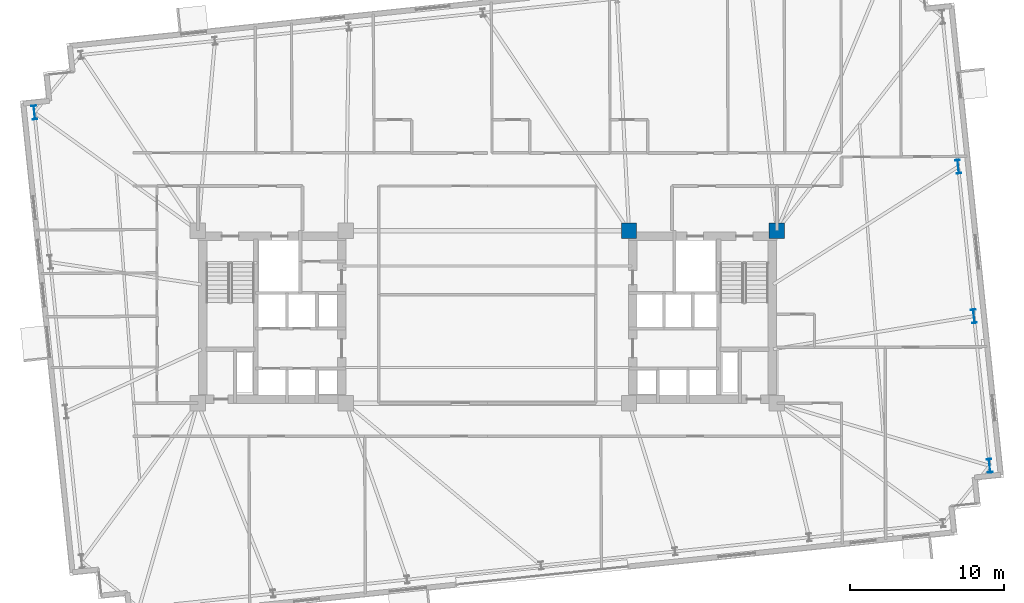
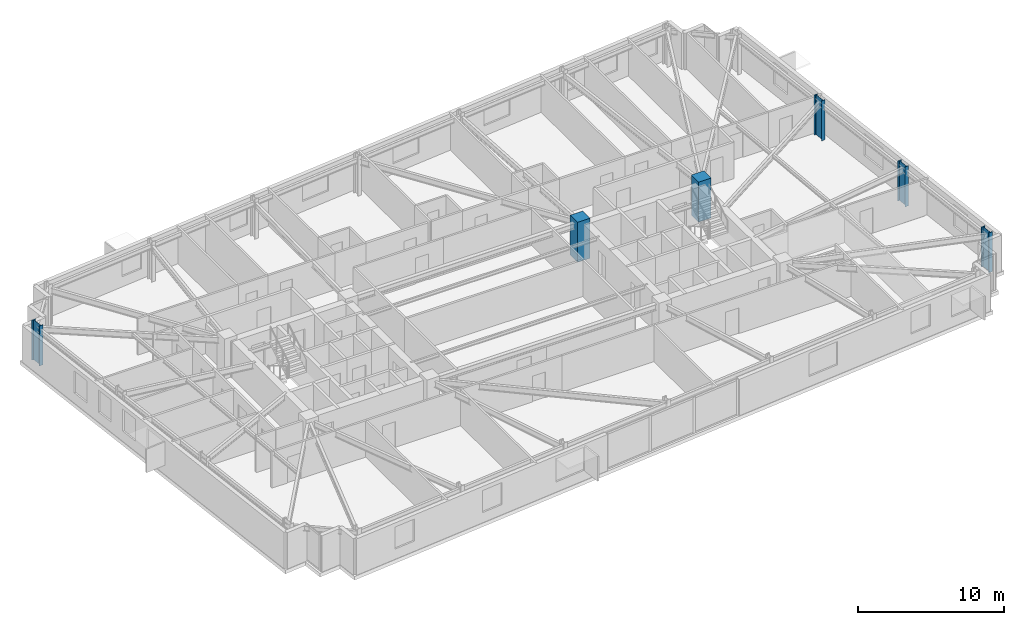
# One storey, part 2 of 23: 6 columns.
"""IFC4 building model written with IfcOpenShell, lengths in metres."""

from ifc_helpers import new_model, si_unit, direction, frame, origin, origin_2d, place, context, subcontext, project, spatial, rectangle, i_section, extrude, material, material_profile, profile_set, type_object, element, save


model = new_model("IFC4")

# Units and contexts
model_context = context("Model", 3, precision=1e-05, world=origin(), true_north=direction((0.0, 1.0)))
body_context = subcontext(model_context, "Body", "Model", "MODEL_VIEW")
ifc_project = project(units=[si_unit("LENGTHUNIT", "METRE"), si_unit("AREAUNIT", "SQUARE_METRE"), si_unit("VOLUMEUNIT", "CUBIC_METRE"), si_unit("PLANEANGLEUNIT", "RADIAN"), si_unit("MASSUNIT", "GRAM", prefix="KILO")], contexts=[model_context])

# Site, building, storey
site_placement = place(None, origin())
site = spatial("IfcSite", under=ifc_project, at=site_placement, CompositionType="ELEMENT")
building_placement = place(site_placement, origin())
building = spatial("IfcBuilding", under=site, at=building_placement, Name="Qobustan Lattice House", CompositionType="ELEMENT")
storey_placement = place(building_placement, frame((0.0, 0.0, 102.449951171875)))
storey = spatial("IfcBuildingStorey", under=building, at=storey_placement, Name="L28", CompositionType="ELEMENT", Elevation=102.449951171875)

# Columns
ifc_material_1 = material(Name="Concrete C60/75", Category="concrete")
ifc_material_profile_1 = material_profile(ifc_material_1, rectangle(XDim=1.0, YDim=1.0, at=origin_2d()), Name="RC1000x1000")
ifc_profile_set_1 = profile_set([ifc_material_profile_1], Name="Concrete C60/75")
column_type_1 = type_object("IfcColumnType", Name="COL-RC-1000", PredefinedType="COLUMN", material=ifc_profile_set_1)
for number, where, z_axis, x_axis, name in (
    (1, (9.199951171875, 5.60009765625, 0.0), (0.0, 0.0, 1.0), (1.0, 0.0, 0.0), "L28 core mega-column CE-NW"),
    (2, (18.800048828125, 5.60009765625, 0.0), (0.0, 0.0, 1.0), (1.0, 0.0, 0.0), "L28 core mega-column CE-NE"),
):
    element("IfcColumn", number, at=place(storey_placement, frame(where, z_axis=z_axis, x_axis=x_axis)), inside=storey, type_object=column_type_1, Name=name, PredefinedType="COLUMN", context=body_context, shape_type="SweptSolid", body=[
        extrude(rectangle(XDim=1.0, YDim=1.0, at=origin_2d()), origin(), (0.0, 0.0, 1.0), 3.35009765625),
    ])
ifc_material_2 = material(Name="Steel S355", Category="steel")
ifc_material_profile_2 = material_profile(ifc_material_2, i_section(OverallWidth=0.300048828125, OverallDepth=0.89990234375, WebThickness=0.0185546875, FlangeThickness=0.034912109375, FilletRadius=0.030029296875, at=origin_2d()), Name="HEB900")
ifc_profile_set_2 = profile_set([ifc_material_profile_2], Name="Steel S355")
column_type_2 = type_object("IfcColumnType", Name="COL-ST-HEB900", PredefinedType="COLUMN", material=ifc_profile_set_2)
for number, where, z_axis, x_axis, name in (
    (3, (32.618896484375, -9.67041015625, 0.0), (0.0, 0.0, 1.0), (0.994521895368, 0.104528463268, 0.0), "L28 B2 perimeter column E1"),
    (4, (31.597900390625, 0.042724609375, 0.0), (0.0, 0.0, 1.0), (0.994521895368, 0.104528463268, 0.0), "L28 B2 perimeter column E2"),
    (5, (30.5771484375, 9.755859375, 0.0), (0.0, 0.0, 1.0), (0.994521895368, 0.104528463268, 0.0), "L28 B2 perimeter column E3"),
    (6, (-29.4189453125, 13.2705078125, 0.0), (0.0, 0.0, 1.0), (0.994521895368, 0.104528463268, 0.0), "L28 B2 perimeter column W1"),
):
    element("IfcColumn", number, at=place(storey_placement, frame(where, z_axis=z_axis, x_axis=x_axis)), inside=storey, type_object=column_type_2, Name=name, PredefinedType="COLUMN", context=body_context, shape_type="SweptSolid", body=[
        extrude(i_section(OverallWidth=0.300048828125, OverallDepth=0.89990234375, WebThickness=0.0185546875, FlangeThickness=0.034912109375, FilletRadius=0.030029296875, at=origin_2d()), origin(), (0.0, 0.0, 1.0), 3.35009765625),
    ])

save(model, "model.ifc")
